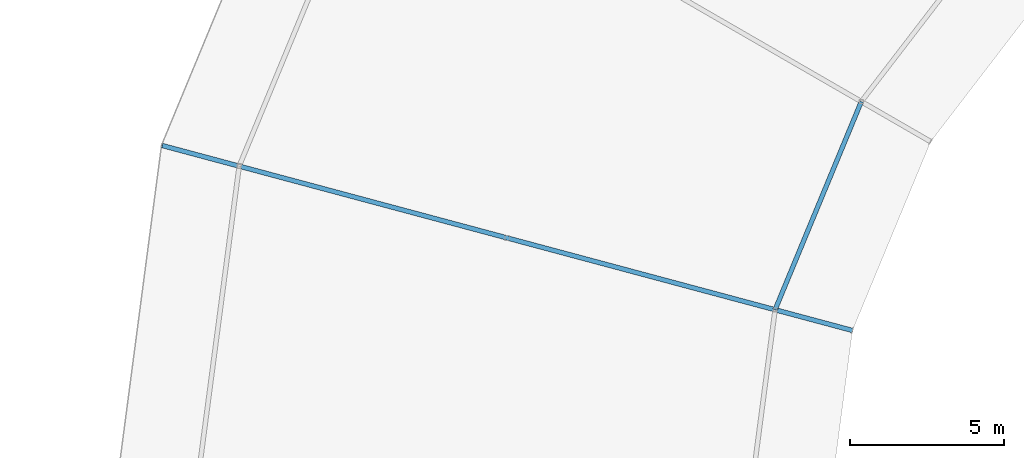
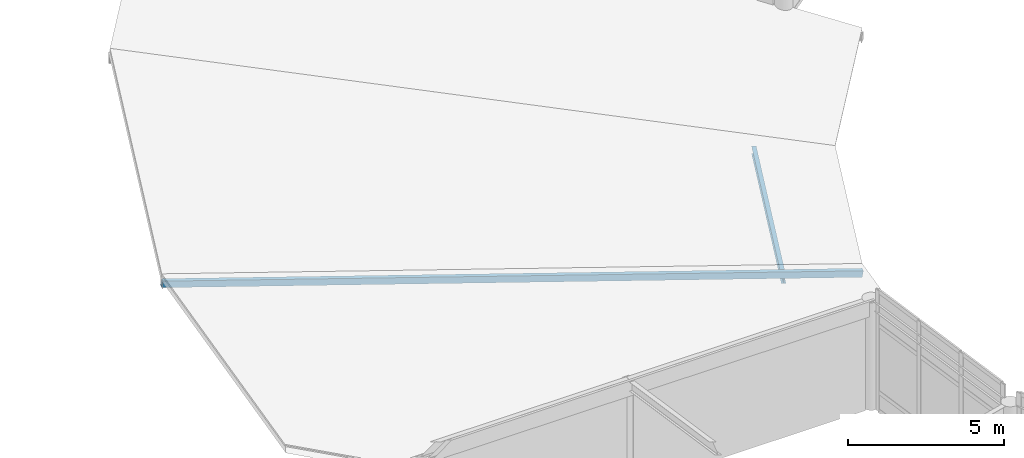
# One storey, part 36 of 93: 1 beam, 1 member.
"""IFC4 building model written with IfcOpenShell, lengths in metres."""

from ifc_helpers import new_model, si_unit, direction, frame, origin, origin_2d, place, context, subcontext, project, spatial, hollow_rectangle, i_section, extrude, material, material_profile, profile_set, type_object, element, save


model = new_model("IFC4")

# Units and contexts
model_context = context("Model", 3, precision=1e-05, world=origin(), true_north=direction((0.0, 1.0)))
body_context = subcontext(model_context, "Body", "Model", "MODEL_VIEW")
ifc_project = project(units=[si_unit("LENGTHUNIT", "METRE"), si_unit("AREAUNIT", "SQUARE_METRE"), si_unit("VOLUMEUNIT", "CUBIC_METRE"), si_unit("PLANEANGLEUNIT", "RADIAN"), si_unit("MASSUNIT", "GRAM", prefix="KILO")], contexts=[model_context])

# Site, building, storey
site_placement = place(None, origin())
site = spatial("IfcSite", under=ifc_project, at=site_placement, CompositionType="ELEMENT")
building_placement = place(site_placement, origin())
building = spatial("IfcBuilding", under=site, at=building_placement, Name="Vondelvale Polytechnic", CompositionType="ELEMENT")
storey_placement = place(building_placement, frame((0.0, 0.0, 18.0)))
storey = spatial("IfcBuildingStorey", under=building, at=storey_placement, Name="L04", CompositionType="ELEMENT", Elevation=18.0)

# Beam
ifc_material_1 = material(Name="Steel 300PLUS (fy = 300 MPa)", Category="steel")
ifc_material_profile_1 = material_profile(ifc_material_1, i_section(OverallWidth=0.14892578125, OverallDepth=0.298095703125, WebThickness=0.005615234375, FlangeThickness=0.008056640625, FilletRadius=0.011474609375, at=origin_2d()), Name="310UB32.0")
ifc_profile_set_1 = profile_set([ifc_material_profile_1], Name="Steel 300PLUS (fy = 300 MPa)")
beam_type = type_object("IfcBeamType", Name="BM-UB310L", PredefinedType="BEAM", material=ifc_profile_set_1)
beam_placement = place(storey_placement, frame((77.751220703125, 86.0, 0.16259765625), z_axis=(-0.382667428841, -0.923886161226, 0.0), x_axis=(0.923886161226, -0.382667428841, 0.0)))
element("IfcBeam", 1, at=beam_placement, inside=storey, type_object=beam_type, Name="L04 RE B-25", PredefinedType="BEAM", context=body_context, shape_type="SweptSolid", body=[
    extrude(i_section(OverallWidth=0.14892578125, OverallDepth=0.298095703125, WebThickness=0.005615234375, FlangeThickness=0.008056640625, FilletRadius=0.011474609375, at=origin_2d()), origin(), (0.0, 0.0, 1.0), 7.3095703125),
])

# Member
ifc_material_2 = material(Name="Steel C350L0 (fy = 350 MPa)", Category="steel")
ifc_material_profile_2 = material_profile(ifc_material_2, hollow_rectangle(XDim=0.14990234375, YDim=0.25, WallThickness=0.006103515625, at=origin_2d()), Name="250x150x6.0RHS")
ifc_profile_set_2 = profile_set([ifc_material_profile_2], Name="Steel C350L0 (fy = 350 MPa)")
member_type = type_object("IfcMemberType", Name="RAFTER RHS250", PredefinedType="RAFTER", material=ifc_profile_set_2)
member_placement = place(storey_placement, frame((55.055908203125, 84.57861328125, 3.765625), z_axis=(0.953225457183, -0.255415406029, -0.161629818233), x_axis=(0.258818491613, 0.965925974596, 0.0)))
element("IfcMember", 2, at=member_placement, inside=storey, type_object=member_type, Name="Ring inward-sloping rafter 11", PredefinedType="RAFTER", context=body_context, shape_type="SweptSolid", body=[
    extrude(hollow_rectangle(XDim=0.14990234375, YDim=0.25, WallThickness=0.006103515625, at=origin_2d()), origin(), (0.0, 0.0, 1.0), 23.50927734375),
])

save(model, "model.ifc")
